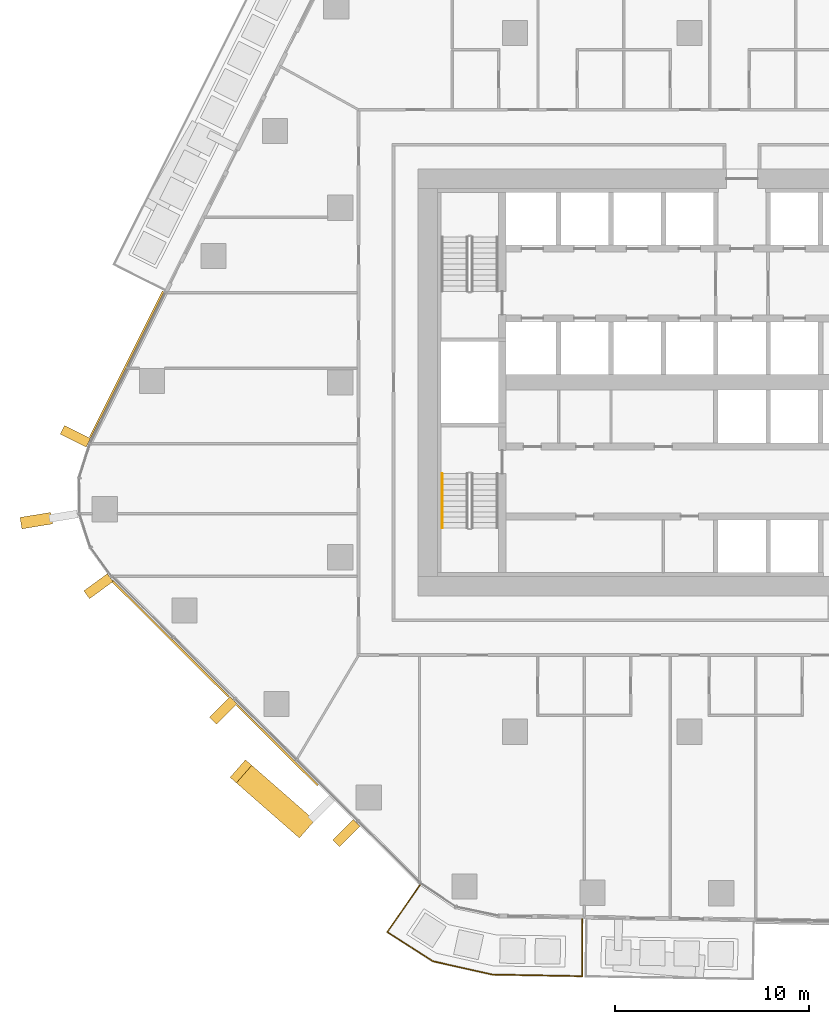
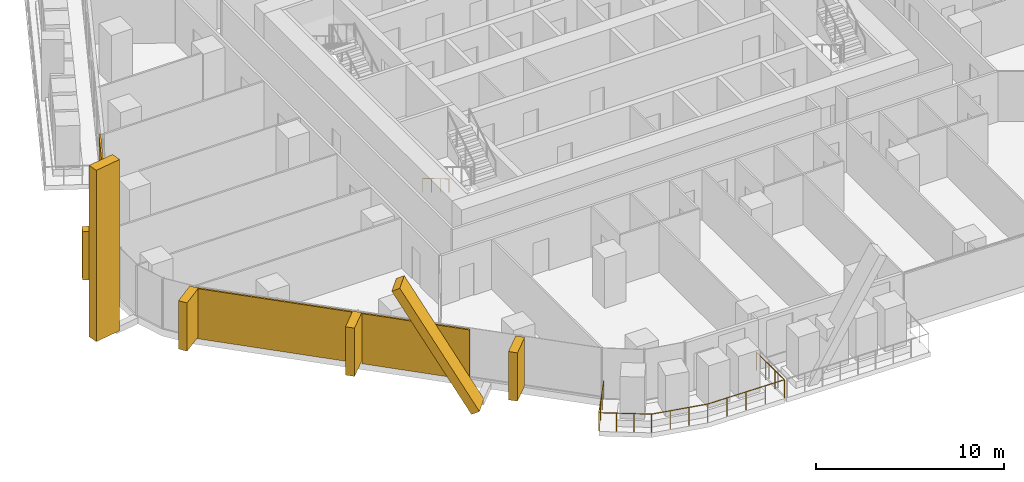
# One storey, part 20 of 26: 9 coverings, 2 railings, 3 elements without a shape of their own.
"""IFC4 building model written with IfcOpenShell, lengths in metres."""

from ifc_helpers import new_model, si_unit, direction, frame, origin, origin_2d, place, context, subcontext, project, spatial, rectangle, circle, extrude, material, layer, layer_set, material_profile, profile_set, type_object, element, aggregate, save


model = new_model("IFC4")

# Units and contexts
model_context = context("Model", 3, precision=1e-05, world=origin(), true_north=direction((0.0, 1.0)))
body_context = subcontext(model_context, "Body", "Model", "MODEL_VIEW")
ifc_project = project(units=[si_unit("LENGTHUNIT", "METRE"), si_unit("AREAUNIT", "SQUARE_METRE"), si_unit("VOLUMEUNIT", "CUBIC_METRE"), si_unit("PLANEANGLEUNIT", "RADIAN"), si_unit("MASSUNIT", "GRAM", prefix="KILO")], contexts=[model_context])

# Site, building, storey
site_placement = place(None, origin())
site = spatial("IfcSite", under=ifc_project, at=site_placement, CompositionType="ELEMENT")
building_placement = place(site_placement, origin())
building = spatial("IfcBuilding", under=site, at=building_placement, Name="Dongbaek Canopy Tower", CompositionType="ELEMENT")
storey_placement = place(building_placement, frame((0.0, 0.0, 95.199951171875)))
storey = spatial("IfcBuildingStorey", under=building, at=storey_placement, Name="L19", CompositionType="ELEMENT", Elevation=95.199951171875)

# Railing
ifc_material_1 = material(Name="Stainless steel", Category="steel")
railing_type_1 = type_object("IfcRailingType", Name="Balcony balustrade 1200", PredefinedType="BALUSTRADE", material=ifc_material_1)
railing_1_placement = place(storey_placement, frame((-13.888671875, -25.897216796875, 0.0)))
element("IfcRailing", 1, at=railing_1_placement, inside=storey, type_object=railing_type_1, Name="Balcony guard L19 8", PredefinedType="BALUSTRADE", context=body_context, shape_type="SweptSolid", body=[
    extrude(circle(Radius=0.02392578125, at=origin_2d()), frame((0.0, 0.0, 1.17578125), z_axis=(-0.573824449934, -0.818978327343, 0.0), x_axis=(0.818978327343, -0.573824449934, 0.0)), (0.0, 0.0, 1.0), 2.940673828125),
    extrude(circle(Radius=0.02392578125, at=origin_2d()), frame((-1.6875, -2.408447265625, 1.17578125), z_axis=(0.841065066743, -0.540933964088, 0.0), x_axis=(0.540933964088, 0.841065066743, 0.0)), (0.0, 0.0, 1.0), 2.79833984375),
    extrude(circle(Radius=0.02392578125, at=origin_2d()), frame((0.666015625, -3.922119140625, 1.17578125), z_axis=(0.975888792323, -0.218268332607, 0.0), x_axis=(0.218268332607, 0.975888792323, 0.0)), (0.0, 0.0, 1.0), 3.129638671875),
    extrude(circle(Radius=0.02392578125, at=origin_2d()), frame((3.72021484375, -4.605224609375, 1.17578125), z_axis=(0.99983201567, -0.01832867809, 0.0), x_axis=(0.01832867809, 0.99983201567, 0.0)), (0.0, 0.0, 1.0), 4.648681640625),
    extrude(circle(Radius=0.02392578125, at=origin_2d()), frame((8.3681640625, -4.6904296875, 1.17578125), z_axis=(-0.004981671827, 0.999987591396, 0.0), x_axis=(-0.999987591396, -0.004981671827, 0.0)), (0.0, 0.0, 1.0), 2.9404296875),
    extrude(circle(Radius=0.02099609375, at=origin_2d()), origin(), (0.0, 0.0, 1.0), 1.15185546875),
    extrude(circle(Radius=0.02099609375, at=origin_2d()), frame((-0.5625, -0.802734375, 0.0)), (0.0, 0.0, 1.0), 1.15185546875),
    extrude(circle(Radius=0.02099609375, at=origin_2d()), frame((-1.125, -1.605712890625, 0.0)), (0.0, 0.0, 1.0), 1.15185546875),
    extrude(circle(Radius=0.02099609375, at=origin_2d()), frame((-1.6875, -2.408447265625, 0.0)), (0.0, 0.0, 1.0), 1.15185546875),
    extrude(circle(Radius=0.02099609375, at=origin_2d()), frame((-0.903076171875, -2.9130859375, 0.0)), (0.0, 0.0, 1.0), 1.15185546875),
    extrude(circle(Radius=0.02099609375, at=origin_2d()), frame((-0.118408203125, -3.41748046875, 0.0)), (0.0, 0.0, 1.0), 1.15185546875),
    extrude(circle(Radius=0.02099609375, at=origin_2d()), frame((0.666015625, -3.922119140625, 0.0)), (0.0, 0.0, 1.0), 1.15185546875),
    extrude(circle(Radius=0.02099609375, at=origin_2d()), frame((1.68408203125, -4.14990234375, 0.0)), (0.0, 0.0, 1.0), 1.15185546875),
    extrude(circle(Radius=0.02099609375, at=origin_2d()), frame((2.7021484375, -4.37744140625, 0.0)), (0.0, 0.0, 1.0), 1.15185546875),
    extrude(circle(Radius=0.02099609375, at=origin_2d()), frame((3.72021484375, -4.605224609375, 0.0)), (0.0, 0.0, 1.0), 1.15185546875),
    extrude(circle(Radius=0.02099609375, at=origin_2d()), frame((4.88232421875, -4.62646484375, 0.0)), (0.0, 0.0, 1.0), 1.15185546875),
    extrude(circle(Radius=0.02099609375, at=origin_2d()), frame((6.044189453125, -4.64794921875, 0.0)), (0.0, 0.0, 1.0), 1.15185546875),
    extrude(circle(Radius=0.02099609375, at=origin_2d()), frame((7.2060546875, -4.669189453125, 0.0)), (0.0, 0.0, 1.0), 1.15185546875),
    extrude(circle(Radius=0.02099609375, at=origin_2d()), frame((8.3681640625, -4.6904296875, 0.0)), (0.0, 0.0, 1.0), 1.15185546875),
    extrude(circle(Radius=0.02099609375, at=origin_2d()), frame((8.36328125, -3.710205078125, 0.0)), (0.0, 0.0, 1.0), 1.15185546875),
    extrude(circle(Radius=0.02099609375, at=origin_2d()), frame((8.3583984375, -2.730224609375, 0.0)), (0.0, 0.0, 1.0), 1.15185546875),
    extrude(circle(Radius=0.02099609375, at=origin_2d()), frame((8.353515625, -1.75, 0.0)), (0.0, 0.0, 1.0), 1.15185546875),
])

# Curtain wall, covering
ifc_material_2 = material(Name="Aluminium 6063-T6 pale anodised", Category="aluminium")
ifc_layer_1 = layer(ifc_material_2, 0.199951171875)
ifc_layer_set_1 = layer_set([ifc_layer_1], Name="CW-1 unitised tower curtain wall")
curtain_wall_type = type_object("IfcCurtainWallType", Name="CW-1 unitised tower curtain wall", PredefinedType="NOTDEFINED", material=ifc_layer_set_1)
curtain_wall_1_placement = place(storey_placement, origin())
curtain_wall_1 = element("IfcCurtainWall", 2, at=curtain_wall_1_placement, inside=storey, type_object=curtain_wall_type, Name="CW-1 curtain wall K3.1", PredefinedType="NOTDEFINED")
ifc_material_3 = material(Name="Aluminium 6063-T6 pale metal fin", Category="aluminium")
ifc_material_profile_1 = material_profile(ifc_material_3, rectangle(XDim=1.60009765625, YDim=0.60009765625, at=origin_2d()), Name="Corner fin CN1 600 x 1600 pale metal")
ifc_profile_set_1 = profile_set([ifc_material_profile_1], Name="Aluminium 6063-T6 pale metal fin")
covering_type_1 = type_object("IfcCoveringType", Name="Corner fin CN1 600 x 1600 pale metal", PredefinedType="CLADDING", material=ifc_profile_set_1)
covering_1_placement = place(storey_placement, frame((-33.6591796875, -7.118408203125, -0.224853515625), z_axis=(0.0, 0.0, 1.0), x_axis=(-0.986926979319, -0.161168041161, 0.0)))
covering_1 = element("IfcCovering", 3, at=covering_1_placement, type_object=covering_type_1, Name="Corner fin L19 L21 K3", PredefinedType="CLADDING", context=body_context, shape_type="SweptSolid", body=[
    extrude(rectangle(XDim=1.60009765625, YDim=0.60009765625, at=origin_2d()), origin(), (0.0, 0.0, 1.0), 11.10498046875),
])

curtain_wall_2_placement = place(storey_placement, origin())
curtain_wall_2 = element("IfcCurtainWall", 4, at=curtain_wall_2_placement, inside=storey, type_object=curtain_wall_type, Name="CW-1 curtain wall F3.1", PredefinedType="NOTDEFINED")
ifc_material_4 = material(Name="Aluminium 6063-T6 pale metal fin", Category="aluminium")
ifc_material_profile_2 = material_profile(ifc_material_4, rectangle(XDim=1.199951171875, YDim=0.5, at=origin_2d()), Name="Crease fin CF1 500 x 1200 pale metal")
ifc_profile_set_2 = profile_set([ifc_material_profile_2], Name="Aluminium 6063-T6 pale metal fin")
covering_type_2 = type_object("IfcCoveringType", Name="Crease fin CF1 500 x 1200 pale metal", PredefinedType="CLADDING", material=ifc_profile_set_2)
covering_2_placement = place(storey_placement, frame((-19.870849609375, -22.875, -0.224853515625), z_axis=(-0.378838533216, 0.331633370612, 0.864002704422), x_axis=(-0.658672936925, -0.752429373538, 0.0)))
covering_2 = element("IfcCovering", 5, at=covering_2_placement, type_object=covering_type_2, Name="Crease fin L19 L21 F3", PredefinedType="CLADDING", context=body_context, shape_type="SweptSolid", body=[
    extrude(rectangle(XDim=1.199951171875, YDim=0.5, at=origin_2d()), origin(), (0.0, 0.0, 1.0), 8.564697265625),
])

curtain_wall_3_placement = place(storey_placement, origin())
curtain_wall_3 = element("IfcCurtainWall", 6, at=curtain_wall_3_placement, inside=storey, type_object=curtain_wall_type, Name="CW-1 curtain wall F2.1", PredefinedType="NOTDEFINED")
ifc_material_5 = material(Name="Perforated aluminium 6063-T6 pale metal screen", Category="aluminium")
ifc_layer_2 = layer(ifc_material_5, 0.10009765625)
ifc_layer_set_2 = layer_set([ifc_layer_2], Name="Facet screen FS1 100 pale metal")
covering_type_3 = type_object("IfcCoveringType", Name="Facet screen FS1 100 pale metal", PredefinedType="CLADDING", material=ifc_layer_set_2)
covering_3_placement = place(storey_placement, frame((-29.002685546875, 0.931884765625, 0.0), z_axis=(0.0, 0.0, 1.0), x_axis=(-0.447955711797, -0.894055747853, 0.0)))
covering_3 = element("IfcCovering", 7, at=covering_3_placement, type_object=covering_type_3, Name="Facet screen L19 F2", PredefinedType="CLADDING", context=body_context, shape_type="SweptSolid", body=[
    extrude(rectangle(XDim=8.415283203125, YDim=0.10009765625, at=origin_2d()), origin(), (0.0, 0.0, 1.0), 3.25),
])

# Covering
covering_4_placement = place(storey_placement, frame((-26.749755859375, -13.203369140625, 0.0), z_axis=(0.0, 0.0, 1.0), x_axis=(0.709103249407, -0.70510466009, 0.0)))
covering_4 = element("IfcCovering", 8, at=covering_4_placement, type_object=covering_type_3, Name="Facet screen L19 F3", PredefinedType="CLADDING", context=body_context, shape_type="SweptSolid", body=[
    extrude(rectangle(XDim=8.49462890625, YDim=0.10009765625, at=origin_2d()), origin(), (0.0, 0.0, 1.0), 3.25),
])

covering_5_placement = place(storey_placement, frame((-21.236328125, -18.685791015625, 0.0), z_axis=(0.0, 0.0, 1.0), x_axis=(0.709103249407, -0.70510466009, 0.0)))
covering_5 = element("IfcCovering", 9, at=covering_5_placement, type_object=covering_type_3, Name="Facet screen L19 F3", PredefinedType="CLADDING", context=body_context, shape_type="SweptSolid", body=[
    extrude(rectangle(XDim=5.8955078125, YDim=0.10009765625, at=origin_2d()), origin(), (0.0, 0.0, 1.0), 3.25),
])

ifc_material_6 = material(Name="Aluminium 6063-T6 pale metal fin", Category="aluminium")
ifc_material_profile_3 = material_profile(ifc_material_6, rectangle(XDim=1.5, YDim=0.5, at=origin_2d()), Name="Fin FN1 500 x 1500 pale metal")
ifc_profile_set_3 = profile_set([ifc_material_profile_3], Name="Aluminium 6063-T6 pale metal fin")
covering_type_4 = type_object("IfcCoveringType", Name="Fin FN1 500 x 1500 pale metal", PredefinedType="CLADDING", material=ifc_profile_set_3)
covering_6_placement = place(storey_placement, frame((-31.64697265625, -2.774169921875, 0.1201171875), z_axis=(0.0, 0.0, 1.0), x_axis=(-0.894055791151, 0.447955625381, 0.0)))
covering_6 = element("IfcCovering", 10, at=covering_6_placement, type_object=covering_type_4, Name="Fin F2.1.3", PredefinedType="CLADDING", context=body_context, shape_type="SweptSolid", body=[
    extrude(rectangle(XDim=1.5, YDim=0.5, at=origin_2d()), origin(), (0.0, 0.0, 1.0), 3.1298828125),
])

aggregate(curtain_wall_3, [covering_6, covering_3])

covering_7_placement = place(storey_placement, frame((-30.456298828125, -10.495849609375, 0.1201171875), z_axis=(0.0, 0.0, 1.0), x_axis=(-0.80706183949, -0.59046692307, 0.0)))
covering_7 = element("IfcCovering", 11, at=covering_7_placement, type_object=covering_type_4, Name="Fin K3.1.5", PredefinedType="CLADDING", context=body_context, shape_type="SweptSolid", body=[
    extrude(rectangle(XDim=1.5, YDim=0.5, at=origin_2d()), origin(), (0.0, 0.0, 1.0), 3.1298828125),
])

aggregate(curtain_wall_1, [covering_7, covering_1])

covering_8_placement = place(storey_placement, frame((-24.028564453125, -16.90185546875, 0.1201171875), z_axis=(0.0, 0.0, 1.0), x_axis=(-0.705105030819, -0.709102880768, 0.0)))
covering_8 = element("IfcCovering", 12, at=covering_8_placement, type_object=covering_type_4, Name="Fin F3.1.3", PredefinedType="CLADDING", context=body_context, shape_type="SweptSolid", body=[
    extrude(rectangle(XDim=1.5, YDim=0.5, at=origin_2d()), origin(), (0.0, 0.0, 1.0), 3.1298828125),
])

covering_9_placement = place(storey_placement, frame((-17.68212890625, -23.212646484375, 0.1201171875), z_axis=(0.0, 0.0, 1.0), x_axis=(-0.705105030819, -0.709102880768, 0.0)))
covering_9 = element("IfcCovering", 13, at=covering_9_placement, type_object=covering_type_4, Name="Fin F3.1.5", PredefinedType="CLADDING", context=body_context, shape_type="SweptSolid", body=[
    extrude(rectangle(XDim=1.5, YDim=0.5, at=origin_2d()), origin(), (0.0, 0.0, 1.0), 3.1298828125),
])

aggregate(curtain_wall_2, [covering_8, covering_9, covering_2, covering_4, covering_5])

# Railing
ifc_material_7 = material(Name="Stainless steel tube", Category="steel")
railing_type_2 = type_object("IfcRailingType", Name="Stair handrail 900", PredefinedType="HANDRAIL", material=ifc_material_7)
railing_2_placement = place(storey_placement, frame((-12.75, -4.699951171875, 0.168212890625)))
element("IfcRailing", 14, at=railing_2_placement, inside=storey, type_object=railing_type_2, Name="L19 ST-D stair handrail 1", PredefinedType="HANDRAIL", context=body_context, shape_type="SweptSolid", body=[
    extrude(circle(Radius=0.02392578125, at=origin_2d()), frame((0.0, 0.0, 0.8759765625), z_axis=(0.0, -0.857242210791, 0.514913383045), x_axis=(1.0, 0.0, 0.0)), (0.0, 0.0, 1.0), 3.266357421875),
    extrude(circle(Radius=0.02099609375, at=origin_2d()), origin(), (0.0, 0.0, 1.0), 0.851806640625),
    extrude(circle(Radius=0.02099609375, at=origin_2d()), frame((0.0, -0.933349609375, 0.560546875)), (0.0, 0.0, 1.0), 0.851806640625),
    extrude(circle(Radius=0.02099609375, at=origin_2d()), frame((0.0, -1.86669921875, 1.121337890625)), (0.0, 0.0, 1.0), 0.851806640625),
    extrude(circle(Radius=0.02099609375, at=origin_2d()), frame((0.0, -2.800048828125, 1.681884765625)), (0.0, 0.0, 1.0), 0.851806640625),
])

save(model, "model.ifc")
